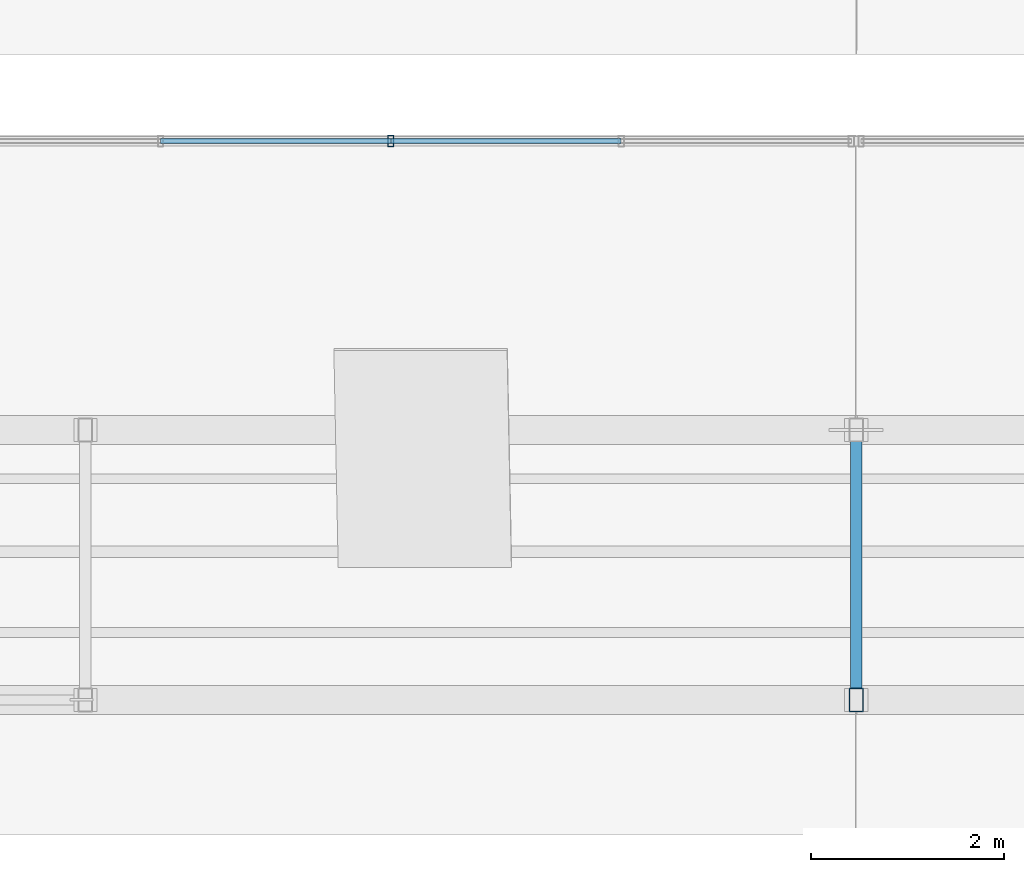
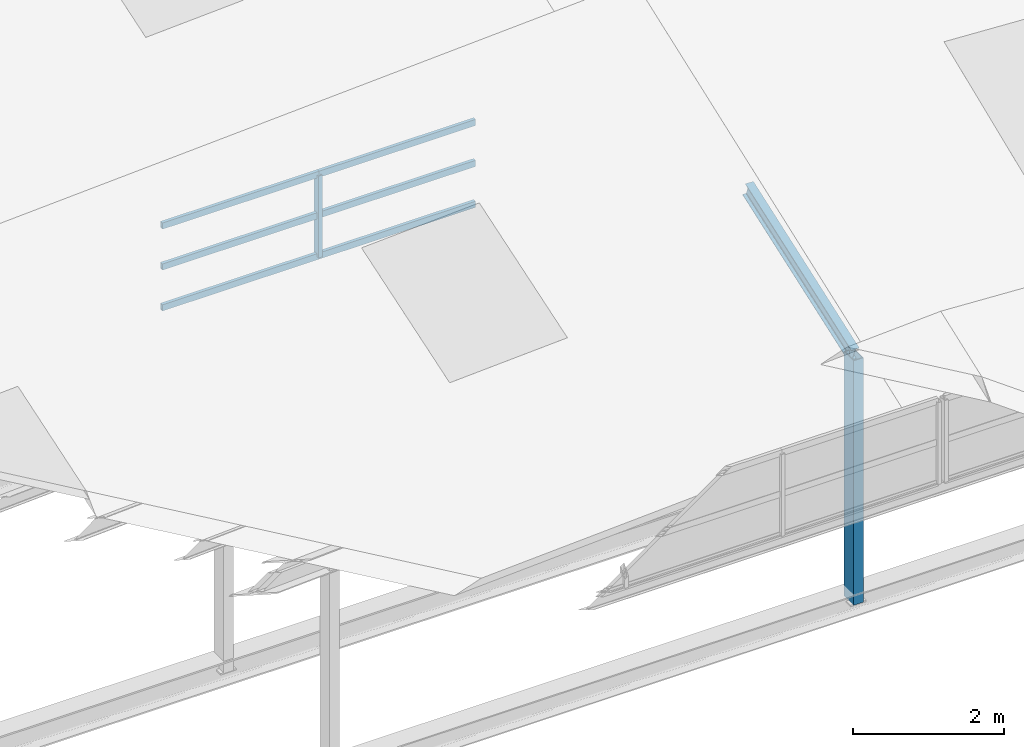
# One storey, part 43 of 141: 9 members, 1 element without a shape of its own.
"""IFC4 building model written with IfcOpenShell, lengths in metres."""

from ifc_helpers import new_model, si_unit, direction, frame, origin, origin_2d, place, context, subcontext, project, spatial, hollow_rectangle, i_section, extrude, material, material_profile, profile_set, type_object, element, aggregate, save


model = new_model("IFC4")

# Units and contexts
model_context = context("Model", 3, precision=1e-05, world=origin(), true_north=direction((0.0, 1.0)))
body_context = subcontext(model_context, "Body", "Model", "MODEL_VIEW")
ifc_project = project(units=[si_unit("LENGTHUNIT", "METRE"), si_unit("AREAUNIT", "SQUARE_METRE"), si_unit("VOLUMEUNIT", "CUBIC_METRE"), si_unit("PLANEANGLEUNIT", "RADIAN"), si_unit("MASSUNIT", "GRAM", prefix="KILO")], contexts=[model_context])

# Site, building, storey
site_placement = place(None, origin())
site = spatial("IfcSite", under=ifc_project, at=site_placement, CompositionType="ELEMENT")
building_placement = place(site_placement, origin())
building = spatial("IfcBuilding", under=site, at=building_placement, Name="Sundkrona Museum", CompositionType="ELEMENT")
storey_placement = place(building_placement, frame((0.0, 0.0, 34.0)))
storey = spatial("IfcBuildingStorey", under=building, at=storey_placement, Name="RF", CompositionType="ELEMENT", Elevation=34.0)

# Curtain wall, member
ifc_material_1 = material(Name="Unitised Aluminium-Steel and Ceramic-Clad Curtain Walling", Category="steel")
curtain_wall_type = type_object("IfcCurtainWallType", Name="CW-SW-240x13", PredefinedType="NOTDEFINED", material=ifc_material_1)
curtain_wall_placement = place(storey_placement, origin())
curtain_wall = element("IfcCurtainWall", 1, at=curtain_wall_placement, inside=storey, type_object=curtain_wall_type, Name="Sawtooth Bay 4 West North-Light Clerestory", PredefinedType="NOTDEFINED")
ifc_material_2 = material(Name="Aluminium EN AW-6060 T66", Category="aluminium")
ifc_material_profile_1 = material_profile(ifc_material_2, hollow_rectangle(XDim=0.06005859375, YDim=0.1201171875, WallThickness=0.0048828125, at=origin_2d()), Name="RHS 120x60x5.0")
ifc_profile_set_1 = profile_set([ifc_material_profile_1], Name="Aluminium EN AW-6060 T66")
member_type_1 = type_object("IfcMemberType", Name="ML-120", PredefinedType="MULLION", material=ifc_profile_set_1)
member_1_placement = place(storey_placement, frame((139.169921875, 26.5, 3.472900390625), z_axis=(0.0, 0.0, 1.0), x_axis=(1.0, 0.0, 0.0)))
member_1 = element("IfcMember", 2, at=member_1_placement, type_object=member_type_1, Name="CW-RF-SAW-04W Mullion 09", PredefinedType="MULLION", context=body_context, shape_type="SweptSolid", body=[
    extrude(hollow_rectangle(XDim=0.06005859375, YDim=0.1201171875, WallThickness=0.0048828125, at=origin_2d()), origin(), (0.0, 0.0, 1.0), 1.320068359375),
])

# Members
ifc_material_3 = material(Name="Steel S355J2", Category="steel")
ifc_material_profile_2 = material_profile(ifc_material_3, i_section(OverallWidth=0.1201171875, OverallDepth=0.239990234375, WebThickness=0.006103515625, FlangeThickness=0.009765625, FilletRadius=0.014892578125, at=origin_2d()), Name="IPE 240")
ifc_profile_set_2 = profile_set([ifc_material_profile_2], Name="Steel S355J2")
member_type_2 = type_object("IfcMemberType", Name="PR-IPE240", PredefinedType="PURLIN", material=ifc_profile_set_2)
member_2_placement = place(storey_placement, frame((144.0, 20.699951171875, 3.6953125), z_axis=(0.0, 0.942754878846, 0.333486489099), x_axis=(-1.0, 0.0, 0.0)))
element("IfcMember", 3, at=member_2_placement, inside=storey, type_object=member_type_2, Name="RFS-1 Sawtooth Bay 4 Transverse Rafter 4", PredefinedType="PURLIN", context=body_context, shape_type="SweptSolid", body=[
    extrude(i_section(OverallWidth=0.1201171875, OverallDepth=0.239990234375, WebThickness=0.006103515625, FlangeThickness=0.009765625, FilletRadius=0.014892578125, at=origin_2d()), origin(), (0.0, 0.0, 1.0), 2.969970703125),
])
ifc_material_profile_3 = material_profile(ifc_material_3, hollow_rectangle(XDim=0.14990234375, YDim=0.25, WallThickness=0.010009765625, at=origin_2d()), Name="RHS 250x150x10.0")
ifc_profile_set_3 = profile_set([ifc_material_profile_3], Name="Steel S355J2")
member_type_3 = type_object("IfcMemberType", Name="ST-RHS250", PredefinedType="STRUT", material=ifc_profile_set_3)
member_3_placement = place(storey_placement, frame((144.0, 20.699951171875, -0.25), z_axis=(0.0, 0.0, 1.0), x_axis=(1.0, 0.0, 0.0)))
element("IfcMember", 4, at=member_3_placement, inside=storey, type_object=member_type_3, Name="RFS-1 Sawtooth Bay 4 Valley Post 4", PredefinedType="STRUT", context=body_context, shape_type="SweptSolid", body=[
    extrude(hollow_rectangle(XDim=0.14990234375, YDim=0.25, WallThickness=0.010009765625, at=origin_2d()), origin(), (0.0, 0.0, 1.0), 3.9453125),
])

# Member
ifc_material_profile_4 = material_profile(ifc_material_2, hollow_rectangle(XDim=0.050048828125, YDim=0.10009765625, WallThickness=0.0048828125, at=origin_2d()), Name="RHS 100x50x5.0")
ifc_profile_set_4 = profile_set([ifc_material_profile_4], Name="Aluminium EN AW-6060 T66")
member_type_4 = type_object("IfcMemberType", Name="TR-100", PredefinedType="USERDEFINED", material=ifc_profile_set_4)
member_4_placement = place(storey_placement, frame((136.780029296875, 26.5, 3.472900390625), z_axis=(1.0, 0.0, 0.0), x_axis=(0.0, 1.0, 0.0)))
member_4 = element("IfcMember", 5, at=member_4_placement, type_object=member_type_4, Name="CW-RF-SAW-04W Transom 22", ObjectType="TRANSOM", PredefinedType="USERDEFINED", context=body_context, shape_type="SweptSolid", body=[
    extrude(hollow_rectangle(XDim=0.050048828125, YDim=0.10009765625, WallThickness=0.0048828125, at=origin_2d()), origin(), (0.0, 0.0, 1.0), 2.389892578125),
])

member_5_placement = place(storey_placement, frame((136.780029296875, 26.5, 4.133056640625), z_axis=(1.0, 0.0, 0.0), x_axis=(0.0, 1.0, 0.0)))
member_5 = element("IfcMember", 6, at=member_5_placement, type_object=member_type_4, Name="CW-RF-SAW-04W Transom 23", ObjectType="TRANSOM", PredefinedType="USERDEFINED", context=body_context, shape_type="SweptSolid", body=[
    extrude(hollow_rectangle(XDim=0.050048828125, YDim=0.10009765625, WallThickness=0.0048828125, at=origin_2d()), origin(), (0.0, 0.0, 1.0), 2.389892578125),
])

member_6_placement = place(storey_placement, frame((136.780029296875, 26.5, 4.79296875), z_axis=(1.0, 0.0, 0.0), x_axis=(0.0, 1.0, 0.0)))
member_6 = element("IfcMember", 7, at=member_6_placement, type_object=member_type_4, Name="CW-RF-SAW-04W Transom 24", ObjectType="TRANSOM", PredefinedType="USERDEFINED", context=body_context, shape_type="SweptSolid", body=[
    extrude(hollow_rectangle(XDim=0.050048828125, YDim=0.10009765625, WallThickness=0.0048828125, at=origin_2d()), origin(), (0.0, 0.0, 1.0), 2.389892578125),
])

member_7_placement = place(storey_placement, frame((139.169921875, 26.5, 3.472900390625), z_axis=(1.0, 0.0, 0.0), x_axis=(0.0, 1.0, 0.0)))
member_7 = element("IfcMember", 8, at=member_7_placement, type_object=member_type_4, Name="CW-RF-SAW-04W Transom 25", ObjectType="TRANSOM", PredefinedType="USERDEFINED", context=body_context, shape_type="SweptSolid", body=[
    extrude(hollow_rectangle(XDim=0.050048828125, YDim=0.10009765625, WallThickness=0.0048828125, at=origin_2d()), origin(), (0.0, 0.0, 1.0), 2.39013671875),
])

member_8_placement = place(storey_placement, frame((139.169921875, 26.5, 4.133056640625), z_axis=(1.0, 0.0, 0.0), x_axis=(0.0, 1.0, 0.0)))
member_8 = element("IfcMember", 9, at=member_8_placement, type_object=member_type_4, Name="CW-RF-SAW-04W Transom 26", ObjectType="TRANSOM", PredefinedType="USERDEFINED", context=body_context, shape_type="SweptSolid", body=[
    extrude(hollow_rectangle(XDim=0.050048828125, YDim=0.10009765625, WallThickness=0.0048828125, at=origin_2d()), origin(), (0.0, 0.0, 1.0), 2.39013671875),
])

member_9_placement = place(storey_placement, frame((139.169921875, 26.5, 4.79296875), z_axis=(1.0, 0.0, 0.0), x_axis=(0.0, 1.0, 0.0)))
member_9 = element("IfcMember", 10, at=member_9_placement, type_object=member_type_4, Name="CW-RF-SAW-04W Transom 27", ObjectType="TRANSOM", PredefinedType="USERDEFINED", context=body_context, shape_type="SweptSolid", body=[
    extrude(hollow_rectangle(XDim=0.050048828125, YDim=0.10009765625, WallThickness=0.0048828125, at=origin_2d()), origin(), (0.0, 0.0, 1.0), 2.39013671875),
])

aggregate(curtain_wall, [member_1, member_4, member_5, member_6, member_7, member_8, member_9])

save(model, "model.ifc")
